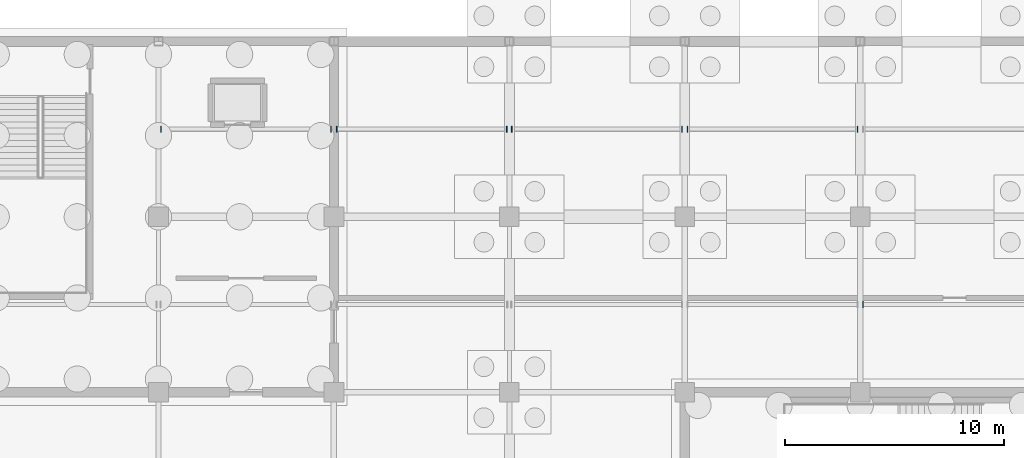
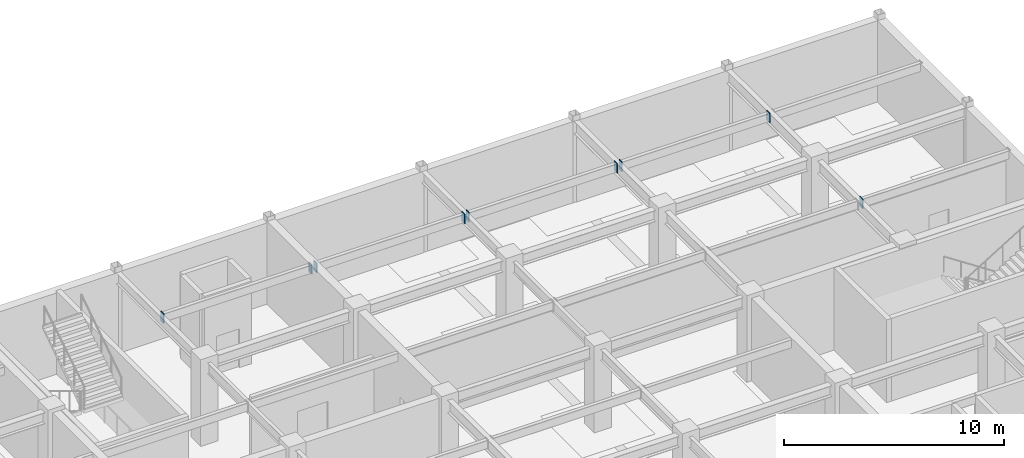
# One storey, part 96 of 105: 9 discrete accessories.
"""IFC4 building model written with IfcOpenShell, lengths in metres."""

from ifc_helpers import new_model, si_unit, direction, frame, origin, origin_2d, place, context, subcontext, project, spatial, rectangle, extrude, material, layer, layer_set, type_object, element, save


model = new_model("IFC4")

# Units and contexts
model_context = context("Model", 3, precision=1e-05, world=origin(), true_north=direction((0.0, 1.0)))
body_context = subcontext(model_context, "Body", "Model", "MODEL_VIEW")
ifc_project = project(units=[si_unit("LENGTHUNIT", "METRE"), si_unit("AREAUNIT", "SQUARE_METRE"), si_unit("VOLUMEUNIT", "CUBIC_METRE"), si_unit("PLANEANGLEUNIT", "RADIAN"), si_unit("MASSUNIT", "GRAM", prefix="KILO")], contexts=[model_context])

# Site, building, storey
site_placement = place(None, origin())
site = spatial("IfcSite", under=ifc_project, at=site_placement, CompositionType="ELEMENT")
building_placement = place(site_placement, origin())
building = spatial("IfcBuilding", under=site, at=building_placement, Name="Solmirada Galleria", CompositionType="ELEMENT")
storey_placement = place(building_placement, frame((0.0, 0.0, -4.800048828125)))
storey = spatial("IfcBuildingStorey", under=building, at=storey_placement, Name="B1", CompositionType="ELEMENT", Elevation=-4.800048828125)

# Discrete accessories
ifc_material = material(Name="Steel S355 / ASTM A572 Grade 50", Category="steel")
ifc_layer = layer(ifc_material, 0.031982421875)
ifc_layer_set = layer_set([ifc_layer], Name="Steel S355 / ASTM A572 Grade 50")
discrete_accessory_type = type_object("IfcDiscreteAccessoryType", Name="ACC-COL-CAP", PredefinedType="BRACKET", material=ifc_layer_set)
for number, where, z_axis, x_axis, name in (
    (1, (136.114013671875, 116.0, 4.00146484375), (0.0, 0.0, 1.0), (1.0, 0.0, 0.0), "Hollow joist end plate L00-18-15-L"),
    (2, (143.8720703125, 116.0, 4.00146484375), (0.0, 0.0, 1.0), (1.0, 0.0, 0.0), "Hollow joist end plate L00-18-15-R"),
    (3, (144.1279296875, 116.0, 4.00146484375), (0.0, 0.0, 1.0), (1.0, 0.0, 0.0), "Hollow joist end plate L00-19-15-L"),
    (4, (151.885986328125, 116.0, 4.00146484375), (0.0, 0.0, 1.0), (1.0, 0.0, 0.0), "Hollow joist end plate L00-19-15-R"),
    (5, (152.114013671875, 116.0, 4.00146484375), (0.0, 0.0, 1.0), (1.0, 0.0, 0.0), "Hollow joist end plate L00-20-15-L"),
    (6, (159.873046875, 116.0, 4.00146484375), (0.0, 0.0, 1.0), (1.0, 0.0, 0.0), "Hollow joist end plate L00-20-15-R"),
    (7, (160.126953125, 116.0, 4.00146484375), (0.0, 0.0, 1.0), (1.0, 0.0, 0.0), "Hollow joist end plate L00-21-15-L"),
    (8, (167.8720703125, 116.0, 4.00146484375), (0.0, 0.0, 1.0), (1.0, 0.0, 0.0), "Hollow joist end plate L00-21-15-R"),
    (9, (168.1279296875, 108.0, 4.00146484375), (0.0, 0.0, 1.0), (1.0, 0.0, 0.0), "Hollow joist end plate L00-22-14-L"),
):
    element("IfcDiscreteAccessory", number, at=place(storey_placement, frame(where, z_axis=z_axis, x_axis=x_axis)), inside=storey, type_object=discrete_accessory_type, Name=name, PredefinedType="BRACKET", context=body_context, shape_type="SweptSolid", body=[
        extrude(rectangle(XDim=0.035888671875, YDim=0.280029296875, at=origin_2d()), origin(), (0.0, 0.0, 1.0), 0.5400390625),
    ])

save(model, "model.ifc")
